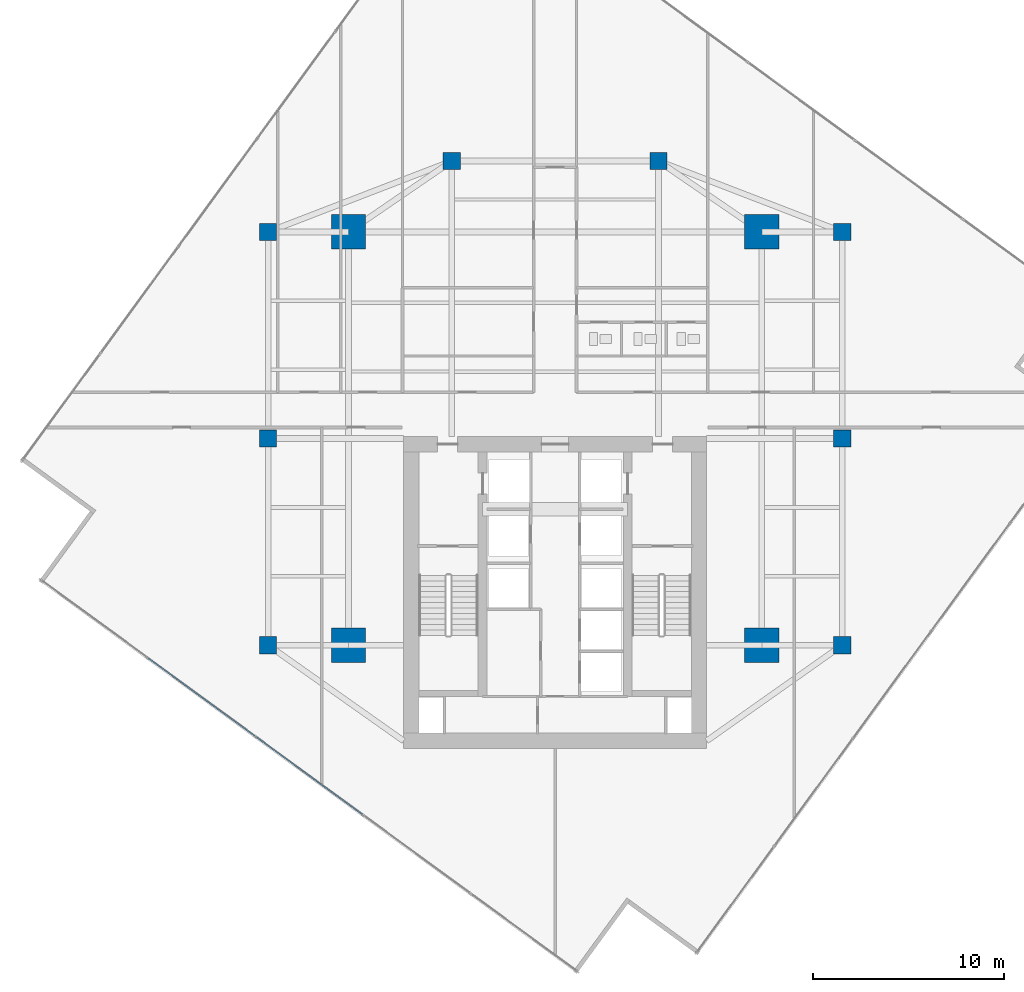
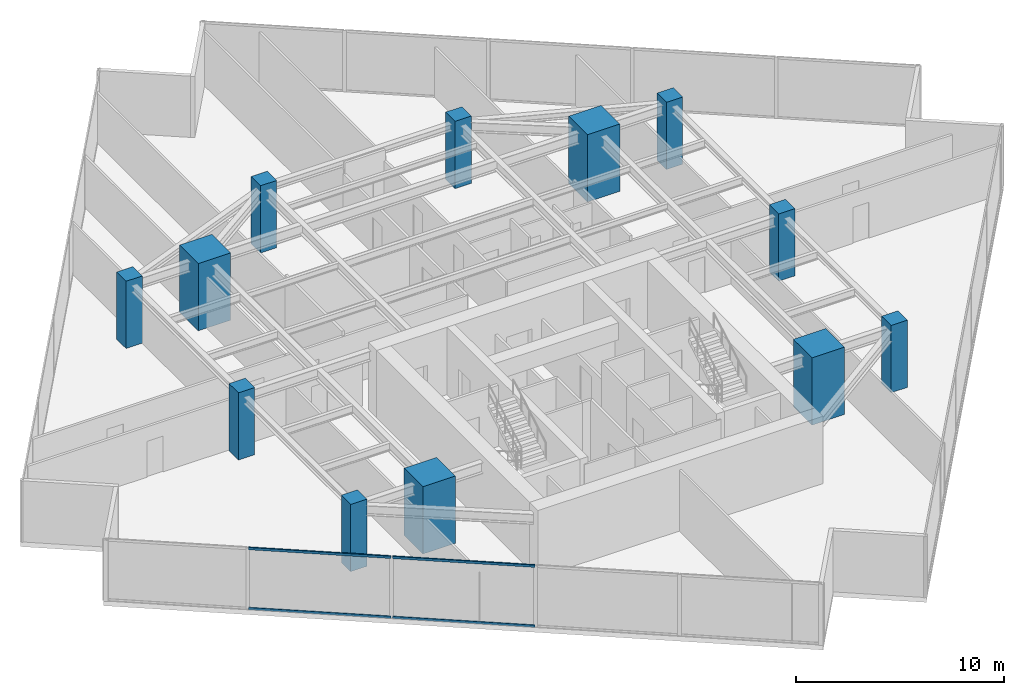
# One storey, part 1 of 25: 12 columns, 4 members, 1 element without a shape of its own.
"""IFC4 building model written with IfcOpenShell, lengths in metres."""

from ifc_helpers import new_model, si_unit, direction, frame, origin, origin_2d, place, context, subcontext, project, spatial, rectangle, hollow_rectangle, extrude, source, transform, mapped, material, material_profile, profile_set, type_object, type_shapes, element, aggregate, save


model = new_model("IFC4")

# Units and contexts
model_context = context("Model", 3, precision=1e-05, world=origin(), true_north=direction((0.0, 1.0)))
body_context = subcontext(model_context, "Body", "Model", "MODEL_VIEW")
ifc_project = project(units=[si_unit("LENGTHUNIT", "METRE"), si_unit("AREAUNIT", "SQUARE_METRE"), si_unit("VOLUMEUNIT", "CUBIC_METRE"), si_unit("PLANEANGLEUNIT", "RADIAN"), si_unit("MASSUNIT", "GRAM", prefix="KILO")], contexts=[model_context])

# Site, building, storey
site_placement = place(None, origin())
site = spatial("IfcSite", under=ifc_project, at=site_placement, CompositionType="ELEMENT")
building_placement = place(site_placement, origin())
building = spatial("IfcBuilding", under=site, at=building_placement, Name="Krantzveldt Concourse Tower", CompositionType="ELEMENT")
storey_placement = place(building_placement, frame((0.0, 0.0, 197.550048828125)))
storey = spatial("IfcBuildingStorey", under=building, at=storey_placement, Name="L48", CompositionType="ELEMENT", Elevation=197.550048828125)

# Columns
ifc_material_1 = material(Name="Concrete C50/60", Category="concrete")
ifc_material_profile_1 = material_profile(ifc_material_1, rectangle(XDim=1.800048828125, YDim=1.800048828125, at=origin_2d()), Name="Concrete C50/60", Category="concrete")
ifc_profile_set_1 = profile_set([ifc_material_profile_1], Name="Concrete C50/60 - RC 1800x1800")
column_type_1 = type_object("IfcColumnType", Name="COL-MC-1800", PredefinedType="USERDEFINED", material=ifc_profile_set_1)
shared_shape_1 = source(origin(), body_context, "Body", "SweptSolid", [
    extrude(rectangle(XDim=1.800048828125, YDim=1.800048828125, at=origin_2d()), origin(), (0.0, 0.0, 1.0), 3.949951171875),
])
type_shapes(column_type_1, [shared_shape_1])
for number, where, z_axis, x_axis, name in (
    (1, (25.199951171875, 15.89990234375, 0.0), (0.0, 0.0, 1.0), (1.0, 0.0, 0.0), "MC-SW-L48"),
    (2, (46.800048828125, 15.89990234375, 0.0), (0.0, 0.0, 1.0), (1.0, 0.0, 0.0), "MC-SE-L48"),
    (3, (46.800048828125, 37.5, 0.0), (0.0, 0.0, 1.0), (1.0, 0.0, 0.0), "MC-NE-L48"),
    (4, (25.199951171875, 37.5, 0.0), (0.0, 0.0, 1.0), (1.0, 0.0, 0.0), "MC-NW-L48"),
):
    element("IfcColumn", number, at=place(storey_placement, frame(where, z_axis=z_axis, x_axis=x_axis)), inside=storey, type_object=column_type_1, Name=name, ObjectType="MEGA COLUMN", PredefinedType="USERDEFINED", context=body_context, shape_type="MappedRepresentation", body=[
        mapped(shared_shape_1, transform((0.0, 0.0, 0.0), x_axis=(1.0, 0.0, 0.0), y_axis=(0.0, 1.0, 0.0), z_axis=(0.0, 0.0, 1.0), scale=1.0)),
    ])
ifc_material_profile_2 = material_profile(ifc_material_1, rectangle(XDim=0.89990234375, YDim=0.89990234375, at=origin_2d()), Name="Concrete C50/60", Category="concrete")
ifc_profile_set_2 = profile_set([ifc_material_profile_2], Name="Concrete C50/60 - RC 900x900")
column_type_2 = type_object("IfcColumnType", Name="COL-C-Z3", PredefinedType="COLUMN", material=ifc_profile_set_2)
shared_shape_2 = source(origin(), body_context, "Body", "SweptSolid", [
    extrude(rectangle(XDim=0.89990234375, YDim=0.89990234375, at=origin_2d()), origin(), (0.0, 0.0, 1.0), 3.949951171875),
])
type_shapes(column_type_2, [shared_shape_2])
for number, where, z_axis, x_axis, name in (
    (5, (21.0, 15.89990234375, 0.0), (0.0, 0.0, 1.0), (1.0, 0.0, 0.0), "PC-R01-L48"),
    (6, (21.0, 26.699951171875, 0.0), (0.0, 0.0, 1.0), (1.0, 0.0, 0.0), "PC-R02-L48"),
    (7, (21.0, 37.5, 0.0), (0.0, 0.0, 1.0), (1.0, 0.0, 0.0), "PC-R03-L48"),
    (8, (30.60009765625, 41.199951171875, 0.0), (0.0, 0.0, 1.0), (1.0, 0.0, 0.0), "PC-R04-L48"),
    (9, (41.39990234375, 41.199951171875, 0.0), (0.0, 0.0, 1.0), (1.0, 0.0, 0.0), "PC-R05-L48"),
    (10, (51.0, 37.5, 0.0), (0.0, 0.0, 1.0), (1.0, 0.0, 0.0), "PC-R06-L48"),
    (11, (51.0, 26.699951171875, 0.0), (0.0, 0.0, 1.0), (1.0, 0.0, 0.0), "PC-R07-L48"),
    (12, (51.0, 15.89990234375, 0.0), (0.0, 0.0, 1.0), (1.0, 0.0, 0.0), "PC-R08-L48"),
):
    element("IfcColumn", number, at=place(storey_placement, frame(where, z_axis=z_axis, x_axis=x_axis)), inside=storey, type_object=column_type_2, Name=name, PredefinedType="COLUMN", context=body_context, shape_type="MappedRepresentation", body=[
        mapped(shared_shape_2, transform((0.0, 0.0, 0.0), x_axis=(1.0, 0.0, 0.0), y_axis=(0.0, 1.0, 0.0), z_axis=(0.0, 0.0, 1.0), scale=1.0)),
    ])

# Curtain wall, members
ifc_material_2 = material(Name="Anodised aluminium 6063-T6", Category="aluminium")
curtain_wall_type = type_object("IfcCurtainWallType", Name="CW3", PredefinedType="USERDEFINED", material=ifc_material_2)
curtain_wall_placement = place(storey_placement, origin())
curtain_wall = element("IfcCurtainWall", 13, at=curtain_wall_placement, inside=storey, type_object=curtain_wall_type, Name="CW-L48-F04", ObjectType="UNITISED CURTAIN WALL", PredefinedType="USERDEFINED")
ifc_material_profile_3 = material_profile(ifc_material_2, hollow_rectangle(XDim=0.070068359375, YDim=0.139892578125, WallThickness=0.0048828125, at=origin_2d()), Name="Anodised aluminium 6063-T6", Category="aluminium")
ifc_profile_set_3 = profile_set([ifc_material_profile_3], Name="Anodised aluminium 6063-T6 - ALU-TRAN 140x70x5")
member_type = type_object("IfcMemberType", Name="CW-TRN-150", PredefinedType="USERDEFINED", material=ifc_profile_set_3)
shared_shape_3 = source(origin(), body_context, "Body", "SweptSolid", [
    extrude(hollow_rectangle(XDim=0.070068359375, YDim=0.139892578125, WallThickness=0.0048828125, at=origin_2d()), origin(), (0.0, 0.0, 1.0), 6.889892578125),
])
type_shapes(member_type, [shared_shape_3])
member_1_placement = place(storey_placement, frame((14.737548828125, 15.217529296875, 0.034912109375), z_axis=(0.807726644352, -0.589557179589, 0.0), x_axis=(0.589557179589, 0.807726644352, 0.0)))
member_1 = element("IfcMember", 14, at=member_1_placement, type_object=member_type, Name="CW-Z34 transom 2.1", ObjectType="TRANSOM", PredefinedType="USERDEFINED", context=body_context, shape_type="MappedRepresentation", body=[
    mapped(shared_shape_3, transform((0.0, 0.0, 0.0), x_axis=(1.0, 0.0, 0.0), y_axis=(0.0, 1.0, 0.0), z_axis=(0.0, 0.0, 1.0), scale=1.0)),
])
member_2_placement = place(storey_placement, frame((14.737548828125, 15.217529296875, 3.554931640625), z_axis=(0.807726644352, -0.589557179589, 0.0), x_axis=(0.589557179589, 0.807726644352, 0.0)))
member_2 = element("IfcMember", 15, at=member_2_placement, type_object=member_type, Name="CW-Z34 transom 2.2", ObjectType="TRANSOM", PredefinedType="USERDEFINED", context=body_context, shape_type="MappedRepresentation", body=[
    mapped(shared_shape_3, transform((0.0, 0.0, 0.0), x_axis=(1.0, 0.0, 0.0), y_axis=(0.0, 1.0, 0.0), z_axis=(0.0, 0.0, 1.0), scale=1.0)),
])
member_3_placement = place(storey_placement, frame((20.359375, 11.1142578125, 0.034912109375), z_axis=(0.807726644352, -0.589557179589, 0.0), x_axis=(0.589557179589, 0.807726644352, 0.0)))
member_3 = element("IfcMember", 16, at=member_3_placement, type_object=member_type, Name="CW-Z34 transom 3.1", ObjectType="TRANSOM", PredefinedType="USERDEFINED", context=body_context, shape_type="MappedRepresentation", body=[
    mapped(shared_shape_3, transform((0.0, 0.0, 0.0), x_axis=(1.0, 0.0, 0.0), y_axis=(0.0, 1.0, 0.0), z_axis=(0.0, 0.0, 1.0), scale=1.0)),
])
member_4_placement = place(storey_placement, frame((20.359375, 11.1142578125, 3.554931640625), z_axis=(0.807726644352, -0.589557179589, 0.0), x_axis=(0.589557179589, 0.807726644352, 0.0)))
member_4 = element("IfcMember", 17, at=member_4_placement, type_object=member_type, Name="CW-Z34 transom 3.2", ObjectType="TRANSOM", PredefinedType="USERDEFINED", context=body_context, shape_type="MappedRepresentation", body=[
    mapped(shared_shape_3, transform((0.0, 0.0, 0.0), x_axis=(1.0, 0.0, 0.0), y_axis=(0.0, 1.0, 0.0), z_axis=(0.0, 0.0, 1.0), scale=1.0)),
])
aggregate(curtain_wall, [member_1, member_2, member_3, member_4])

save(model, "model.ifc")
